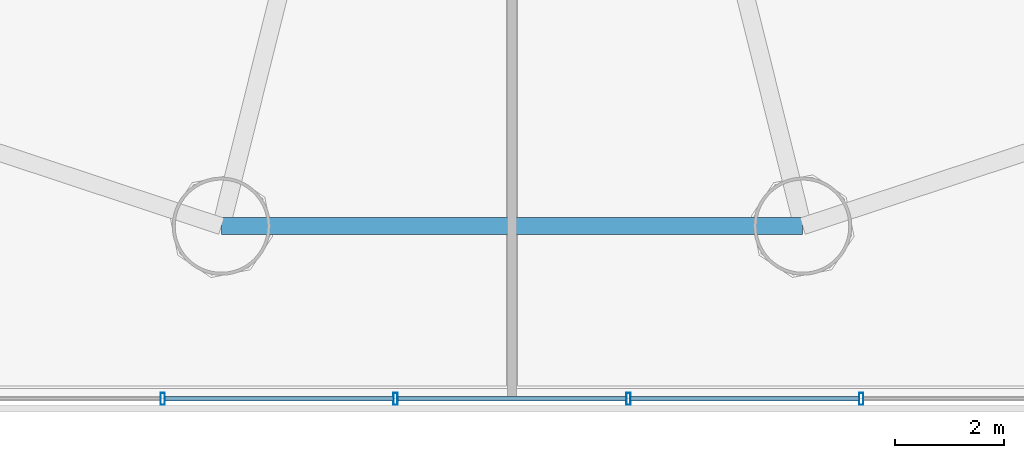
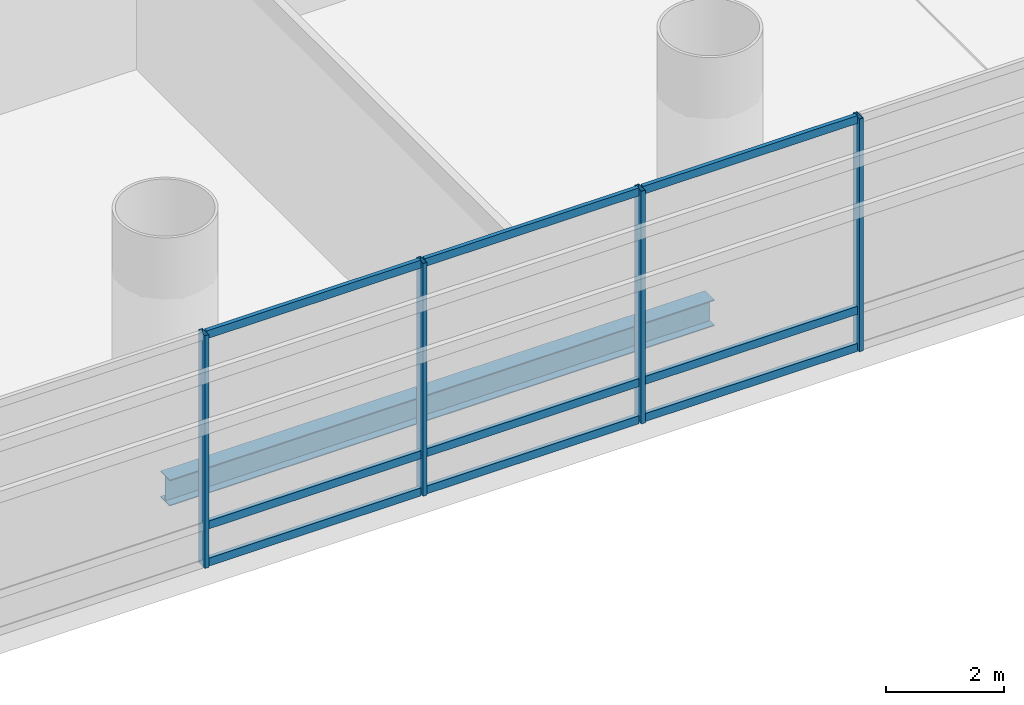
# One storey, part 6 of 31: 13 members, 1 beam, 1 element without a shape of its own.
"""IFC4 building model written with IfcOpenShell, lengths in metres."""

from ifc_helpers import new_model, si_unit, direction, frame, origin, origin_2d, place, context, subcontext, project, spatial, hollow_rectangle, i_section, extrude, source, transform, mapped, material, material_profile, profile_set, type_object, element, aggregate, save


model = new_model("IFC4")

# Units and contexts
model_context = context("Model", 3, precision=1e-05, world=origin(), true_north=direction((-0.2419218956, 0.970295726276)))
body_context = subcontext(model_context, "Body", "Model", "MODEL_VIEW")
ifc_project = project(units=[si_unit("LENGTHUNIT", "METRE"), si_unit("AREAUNIT", "SQUARE_METRE"), si_unit("VOLUMEUNIT", "CUBIC_METRE"), si_unit("PLANEANGLEUNIT", "RADIAN"), si_unit("MASSUNIT", "GRAM", prefix="KILO")], contexts=[model_context])

# Site, building, storey
site_placement = place(None, origin())
site = spatial("IfcSite", under=ifc_project, at=site_placement, CompositionType="ELEMENT")
building_placement = place(site_placement, origin())
building = spatial("IfcBuilding", under=site, at=building_placement, Name="Cobrevalo Terracotta Tower", CompositionType="ELEMENT")
storey_placement = place(building_placement, frame((0.0, 0.0, 18.89990234375)))
storey = spatial("IfcBuildingStorey", under=building, at=storey_placement, Name="L04", CompositionType="ELEMENT", Elevation=18.89990234375)

# Beam
ifc_material_1 = material(Name="Steel S355", Category="steel")
ifc_material_profile_1 = material_profile(ifc_material_1, i_section(OverallWidth=0.31201171875, OverallDepth=0.54296875, WebThickness=0.0126953125, FlangeThickness=0.020263671875, at=origin_2d()), Name="W 530x150")
ifc_profile_set_1 = profile_set([ifc_material_profile_1], Name="Steel S355")
beam_type = type_object("IfcBeamType", Name="Structural Spandrel W 530x150 (Steel S355)", PredefinedType="SPANDREL", material=ifc_profile_set_1)
beam_placement = place(storey_placement, frame((32.664306640625, 5.369873046875, -0.721435546875), z_axis=(1.0, 0.0, 0.0), x_axis=(0.0, 1.0, 0.0)))
element("IfcBeam", 1, at=beam_placement, inside=storey, type_object=beam_type, Name="L04 perimeter ring spandrel 12", PredefinedType="SPANDREL", context=body_context, shape_type="SweptSolid", body=[
    extrude(i_section(OverallWidth=0.31201171875, OverallDepth=0.54296875, WebThickness=0.0126953125, FlangeThickness=0.020263671875, at=origin_2d()), origin(), (0.0, 0.0, 1.0), 10.67138671875),
])

# Curtain wall, members
ifc_material_2 = material(Name="Anodized aluminium", Category="aluminium")
curtain_wall_type = type_object("IfcCurtainWallType", Name="Podium gallery & conservatory curtain wall CW-S2", PredefinedType="NOTDEFINED", material=ifc_material_2)
curtain_wall_placement = place(storey_placement, origin())
curtain_wall = element("IfcCurtainWall", 2, at=curtain_wall_placement, inside=storey, type_object=curtain_wall_type, Name="L04 curtain wall CW-POD-L04-S", PredefinedType="NOTDEFINED")
ifc_material_profile_2 = material_profile(ifc_material_2, hollow_rectangle(XDim=0.080078125, YDim=0.1650390625, WallThickness=0.00439453125, at=origin_2d()), Name="CWT 80x165")
ifc_profile_set_2 = profile_set([ifc_material_profile_2], Name="Anodized aluminium")
member_type_1 = type_object("IfcMemberType", Name="Storefront & atrium aluminium transom 80x165", PredefinedType="USERDEFINED", material=ifc_profile_set_2)
shared_shape_1 = source(origin(), body_context, "Body", "SweptSolid", [
    extrude(hollow_rectangle(XDim=0.080078125, YDim=0.1650390625, WallThickness=0.00439453125, at=origin_2d()), origin(), (0.0, 0.0, 1.0), 4.193359375),
])
member_1_placement = place(storey_placement, frame((31.6298828125, 2.199951171875, 0.050048828125), z_axis=(1.0, 0.0, 0.0), x_axis=(0.0, 1.0, 0.0)))
member_1 = element("IfcMember", 3, at=member_1_placement, type_object=member_type_1, Name="CW-POD-L04-S transom B07-T1", ObjectType="TRANSOM", PredefinedType="USERDEFINED", context=body_context, shape_type="MappedRepresentation", body=[
    mapped(shared_shape_1, transform((0.0, 0.0, 0.0), scale=1.0)),
])
member_2_placement = place(storey_placement, frame((31.6298828125, 2.199951171875, 0.820068359375), z_axis=(1.0, 0.0, 0.0), x_axis=(0.0, 1.0, 0.0)))
member_2 = element("IfcMember", 4, at=member_2_placement, type_object=member_type_1, Name="CW-POD-L04-S transom B07-T2", ObjectType="TRANSOM", PredefinedType="USERDEFINED", context=body_context, shape_type="MappedRepresentation", body=[
    mapped(shared_shape_1, transform((0.0, 0.0, 0.0), scale=1.0)),
])
member_3_placement = place(storey_placement, frame((31.6298828125, 2.199951171875, 4.77001953125), z_axis=(1.0, 0.0, 0.0), x_axis=(0.0, 1.0, 0.0)))
member_3 = element("IfcMember", 5, at=member_3_placement, type_object=member_type_1, Name="CW-POD-L04-S transom B07-T3", ObjectType="TRANSOM", PredefinedType="USERDEFINED", context=body_context, shape_type="MappedRepresentation", body=[
    mapped(shared_shape_1, transform((0.0, 0.0, 0.0), scale=1.0)),
])
member_4_placement = place(storey_placement, frame((35.9033203125, 2.199951171875, 0.050048828125), z_axis=(1.0, 0.0, 0.0), x_axis=(0.0, 1.0, 0.0)))
member_4 = element("IfcMember", 6, at=member_4_placement, type_object=member_type_1, Name="CW-POD-L04-S transom B08-T1", ObjectType="TRANSOM", PredefinedType="USERDEFINED", context=body_context, shape_type="MappedRepresentation", body=[
    mapped(shared_shape_1, transform((0.0, 0.0, 0.0), scale=1.0)),
])
member_5_placement = place(storey_placement, frame((35.9033203125, 2.199951171875, 0.820068359375), z_axis=(1.0, 0.0, 0.0), x_axis=(0.0, 1.0, 0.0)))
member_5 = element("IfcMember", 7, at=member_5_placement, type_object=member_type_1, Name="CW-POD-L04-S transom B08-T2", ObjectType="TRANSOM", PredefinedType="USERDEFINED", context=body_context, shape_type="MappedRepresentation", body=[
    mapped(shared_shape_1, transform((0.0, 0.0, 0.0), scale=1.0)),
])
member_6_placement = place(storey_placement, frame((35.9033203125, 2.199951171875, 4.77001953125), z_axis=(1.0, 0.0, 0.0), x_axis=(0.0, 1.0, 0.0)))
member_6 = element("IfcMember", 8, at=member_6_placement, type_object=member_type_1, Name="CW-POD-L04-S transom B08-T3", ObjectType="TRANSOM", PredefinedType="USERDEFINED", context=body_context, shape_type="MappedRepresentation", body=[
    mapped(shared_shape_1, transform((0.0, 0.0, 0.0), scale=1.0)),
])
member_7_placement = place(storey_placement, frame((40.1767578125, 2.199951171875, 0.050048828125), z_axis=(1.0, 0.0, 0.0), x_axis=(0.0, 1.0, 0.0)))
member_7 = element("IfcMember", 9, at=member_7_placement, type_object=member_type_1, Name="CW-POD-L04-S transom B09-T1", ObjectType="TRANSOM", PredefinedType="USERDEFINED", context=body_context, shape_type="MappedRepresentation", body=[
    mapped(shared_shape_1, transform((0.0, 0.0, 0.0), scale=1.0)),
])
member_8_placement = place(storey_placement, frame((40.1767578125, 2.199951171875, 0.820068359375), z_axis=(1.0, 0.0, 0.0), x_axis=(0.0, 1.0, 0.0)))
member_8 = element("IfcMember", 10, at=member_8_placement, type_object=member_type_1, Name="CW-POD-L04-S transom B09-T2", ObjectType="TRANSOM", PredefinedType="USERDEFINED", context=body_context, shape_type="MappedRepresentation", body=[
    mapped(shared_shape_1, transform((0.0, 0.0, 0.0), scale=1.0)),
])
member_9_placement = place(storey_placement, frame((40.1767578125, 2.199951171875, 4.77001953125), z_axis=(1.0, 0.0, 0.0), x_axis=(0.0, 1.0, 0.0)))
member_9 = element("IfcMember", 11, at=member_9_placement, type_object=member_type_1, Name="CW-POD-L04-S transom B09-T3", ObjectType="TRANSOM", PredefinedType="USERDEFINED", context=body_context, shape_type="MappedRepresentation", body=[
    mapped(shared_shape_1, transform((0.0, 0.0, 0.0), scale=1.0)),
])
ifc_material_profile_3 = material_profile(ifc_material_2, hollow_rectangle(XDim=0.080078125, YDim=0.219970703125, WallThickness=0.0048828125, at=origin_2d()), Name="CWM 80x220")
ifc_profile_set_3 = profile_set([ifc_material_profile_3], Name="Anodized aluminium")
member_type_2 = type_object("IfcMemberType", Name="Storefront & atrium aluminium mullion 80x220", PredefinedType="MULLION", material=ifc_profile_set_3)
shared_shape_2 = source(origin(), body_context, "Body", "SweptSolid", [
    extrude(hollow_rectangle(XDim=0.080078125, YDim=0.219970703125, WallThickness=0.0048828125, at=origin_2d()), origin(), (0.0, 0.0, 1.0), 4.820068359375),
])
member_10_placement = place(storey_placement, frame((31.590087890625, 2.199951171875, 0.0), z_axis=(0.0, 0.0, 1.0), x_axis=(1.0, 0.0, 0.0)))
member_10 = element("IfcMember", 12, at=member_10_placement, type_object=member_type_2, Name="CW-POD-L04-S vertical mullion 07", PredefinedType="MULLION", context=body_context, shape_type="MappedRepresentation", body=[
    mapped(shared_shape_2, transform((0.0, 0.0, 0.0), scale=1.0)),
])
member_11_placement = place(storey_placement, frame((35.86328125, 2.199951171875, 0.0), z_axis=(0.0, 0.0, 1.0), x_axis=(1.0, 0.0, 0.0)))
member_11 = element("IfcMember", 13, at=member_11_placement, type_object=member_type_2, Name="CW-POD-L04-S vertical mullion 08", PredefinedType="MULLION", context=body_context, shape_type="MappedRepresentation", body=[
    mapped(shared_shape_2, transform((0.0, 0.0, 0.0), scale=1.0)),
])
member_12_placement = place(storey_placement, frame((40.13671875, 2.199951171875, 0.0), z_axis=(0.0, 0.0, 1.0), x_axis=(1.0, 0.0, 0.0)))
member_12 = element("IfcMember", 14, at=member_12_placement, type_object=member_type_2, Name="CW-POD-L04-S vertical mullion 09", PredefinedType="MULLION", context=body_context, shape_type="MappedRepresentation", body=[
    mapped(shared_shape_2, transform((0.0, 0.0, 0.0), scale=1.0)),
])
member_13_placement = place(storey_placement, frame((44.409912109375, 2.199951171875, 0.0), z_axis=(0.0, 0.0, 1.0), x_axis=(1.0, 0.0, 0.0)))
member_13 = element("IfcMember", 15, at=member_13_placement, type_object=member_type_2, Name="CW-POD-L04-S vertical mullion 10", PredefinedType="MULLION", context=body_context, shape_type="MappedRepresentation", body=[
    mapped(shared_shape_2, transform((0.0, 0.0, 0.0), scale=1.0)),
])
aggregate(curtain_wall, [member_10, member_11, member_12, member_13, member_1, member_2, member_3, member_4, member_5, member_6, member_7, member_8, member_9])

save(model, "model.ifc")
